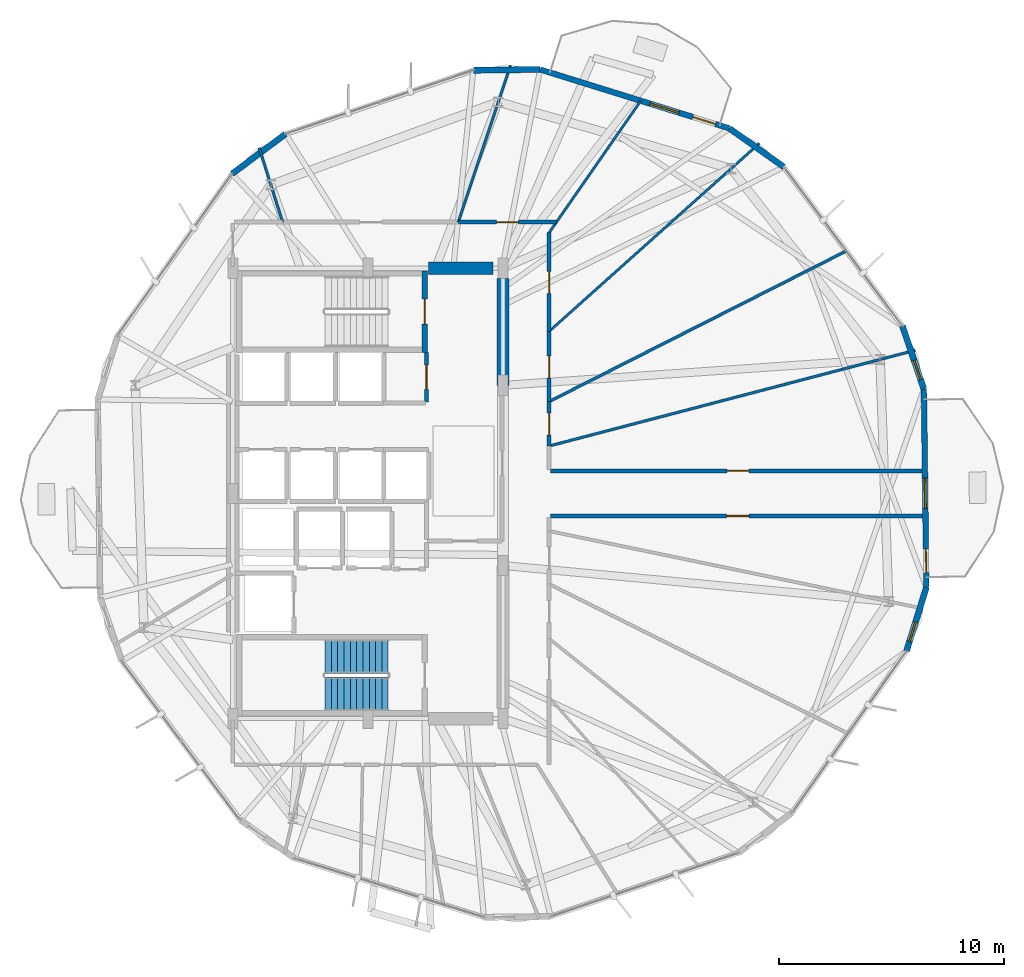
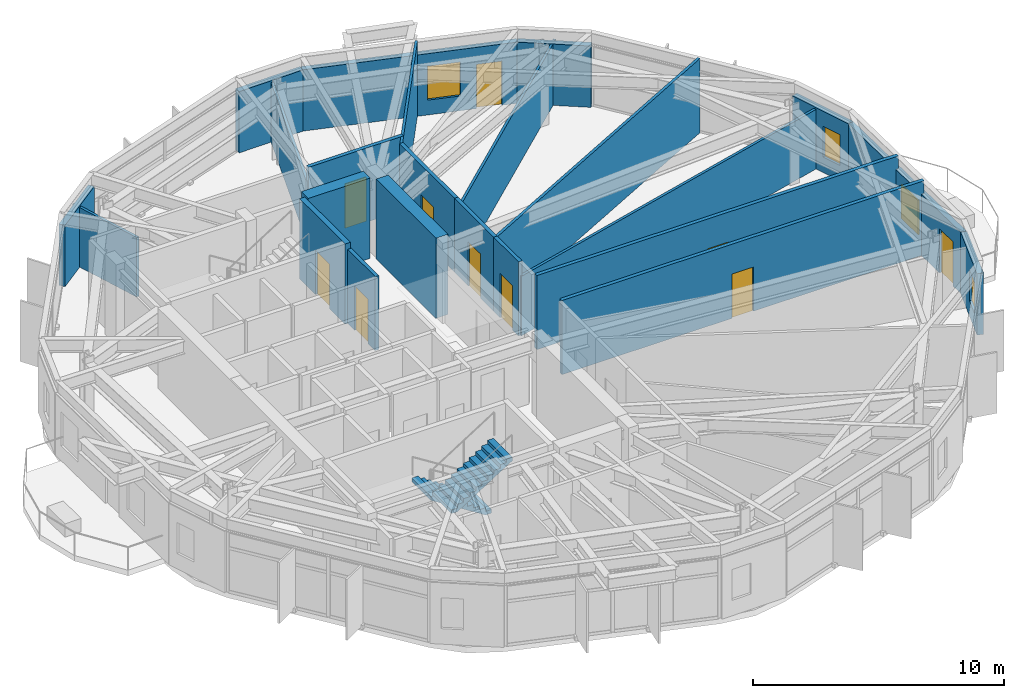
# One storey, part 21 of 25: 23 walls, 10 doors, 4 windows, 2 stair flights, 14 openings, 1 element without a shape of its own.
"""IFC4 building model written with IfcOpenShell, lengths in metres."""

from ifc_helpers import new_model, si_unit, direction, frame, frame_2d, origin, place, context, subcontext, project, spatial, polyline, rectangle, outline, extrude, material, layer, layer_set, type_object, element, fill, aggregate, save


model = new_model("IFC4")

# Units and contexts
model_context = context("Model", 3, precision=1e-05, world=origin(), true_north=direction((0.0, 1.0)))
body_context = subcontext(model_context, "Body", "Model", "MODEL_VIEW")
ifc_project = project(units=[si_unit("LENGTHUNIT", "METRE"), si_unit("AREAUNIT", "SQUARE_METRE"), si_unit("VOLUMEUNIT", "CUBIC_METRE"), si_unit("PLANEANGLEUNIT", "RADIAN"), si_unit("MASSUNIT", "GRAM", prefix="KILO")], contexts=[model_context])

# Site, building, storey
site_placement = place(None, origin())
site = spatial("IfcSite", under=ifc_project, at=site_placement, CompositionType="ELEMENT")
building_placement = place(site_placement, origin())
building = spatial("IfcBuilding", under=site, at=building_placement, Name="Soratama Intermodal Tower", CompositionType="ELEMENT")
storey_placement = place(building_placement, frame((0.0, 0.0, 106.89990234375)))
storey = spatial("IfcBuildingStorey", under=building, at=storey_placement, Name="L25", CompositionType="ELEMENT", Elevation=106.89990234375)

# Wall, openings, door, window
ifc_material_1 = material(Name="Concrete f'c 42 MPa", Category="concrete")
ifc_layer_1 = layer(ifc_material_1, 0.25)
ifc_layer_set_1 = layer_set([ifc_layer_1], Name="Concrete f'c 42 MPa")
wall_type_1 = type_object("IfcWallType", Name="EW-BAL-250", PredefinedType="SOLIDWALL", material=ifc_layer_set_1)
wall_1_placement = place(storey_placement, frame((54.65576171875, 41.215576171875, 0.0), z_axis=(0.0, 0.0, 1.0), x_axis=(-0.954863940641, 0.297043523516, 0.0)))
wall_1 = element("IfcWall", 1, at=wall_1_placement, inside=storey, type_object=wall_type_1, Name="L25 Terrace Wall F02", PredefinedType="SOLIDWALL", context=body_context, shape_type="SweptSolid", body=[
    extrude(rectangle(XDim=8.806640625, YDim=0.25, at=frame_2d((4.4033203125, 0.0))), origin(), (0.0, 0.0, 1.0), 2.97900390625),
])
opening_1_placement = place(wall_1_placement, frame((0.64990234375, 0.0, 0.0)))
opening_1 = element("IfcOpeningElement", 2, at=opening_1_placement, cuts=wall_1, Name="Opening ED-5", PredefinedType="OPENING", context=body_context, shape_type="SweptSolid", body=[
    extrude(rectangle(XDim=1.050048828125, YDim=2.14990234375, at=frame_2d((0.52490234375, 1.074951171875))), frame((0.0, 0.135009765625, 0.0), z_axis=(0.0, -1.0, 0.0), x_axis=(1.0, 0.0, 0.0)), (0.0, 0.0, 1.0), 0.27001953125),
])
opening_2_placement = place(wall_1_placement, frame((2.340087890625, 0.0, 0.719970703125)))
opening_2 = element("IfcOpeningElement", 3, at=opening_2_placement, cuts=wall_1, Name="Opening WN-4", PredefinedType="OPENING", context=body_context, shape_type="SweptSolid", body=[
    extrude(rectangle(XDim=1.35009765625, YDim=1.64990234375, at=frame_2d((0.675048828125, 0.824951171875))), frame((0.0, 0.135009765625, 0.0), z_axis=(0.0, -1.0, 0.0), x_axis=(1.0, 0.0, 0.0)), (0.0, 0.0, 1.0), 0.27001953125),
])
ifc_material_2 = material(Name="Double-glazed aluminium door", Category="aluminium")
door_type_1 = type_object("IfcDoorType", Name="DR-BAL-1050", OperationType="NOTDEFINED", PredefinedType="DOOR", material=ifc_material_2)
door_1_placement = place(opening_1_placement, origin())
door_1 = element("IfcDoor", 4, at=door_1_placement, inside=storey, type_object=door_type_1, Name="L25 Balcony Door F02", OperationType="SINGLE_SWING_RIGHT", OverallHeight=2.14990234375, OverallWidth=1.050048828125, PredefinedType="DOOR", context=body_context, shape_type="SweptSolid", body=[
    extrude(rectangle(XDim=1.050048828125, YDim=2.14990234375, at=frame_2d((0.52490234375, 1.074951171875))), frame((0.0, 0.02490234375, 0.0), z_axis=(0.0, -1.0, 0.0), x_axis=(1.0, 0.0, 0.0)), (0.0, 0.0, 1.0), 0.050048828125),
])
fill(opening_1, door_1)
ifc_material_3 = material(Name="Double-glazed aluminium window", Category="aluminium")
window_type_1 = type_object("IfcWindowType", Name="WN-FAC-1350", PartitioningType="SINGLE_PANEL", PredefinedType="WINDOW", material=ifc_material_3)
window_1_placement = place(opening_2_placement, origin())
window_1 = element("IfcWindow", 5, at=window_1_placement, inside=storey, type_object=window_type_1, Name="L25 Window B F02", OverallHeight=1.64990234375, OverallWidth=1.35009765625, PartitioningType="SINGLE_PANEL", PredefinedType="WINDOW", context=body_context, shape_type="SweptSolid", body=[
    extrude(rectangle(XDim=1.35009765625, YDim=1.64990234375, at=frame_2d((0.675048828125, 0.824951171875))), frame((0.0, 0.030029296875, 0.0), z_axis=(0.0, -1.0, 0.0), x_axis=(1.0, 0.0, 0.0)), (0.0, 0.0, 1.0), 0.06005859375),
])
fill(opening_2, window_1)

wall_2_placement = place(storey_placement, frame((63.40576171875, 20.82763671875, 0.0), z_axis=(0.0, 0.0, 1.0), x_axis=(-0.012558271015, 0.999921141805, 0.0)))
wall_2 = element("IfcWall", 6, at=wall_2_placement, inside=storey, type_object=wall_type_1, Name="L25 Terrace Wall F10", PredefinedType="SOLIDWALL", context=body_context, shape_type="SweptSolid", body=[
    extrude(rectangle(XDim=8.806640625, YDim=0.25, at=frame_2d((4.4033203125, 0.0))), origin(), (0.0, 0.0, 1.0), 2.97900390625),
])
opening_3_placement = place(wall_2_placement, frame((0.64990234375, 0.0, 0.0)))
opening_3 = element("IfcOpeningElement", 7, at=opening_3_placement, cuts=wall_2, Name="Opening ED-5", PredefinedType="OPENING", context=body_context, shape_type="SweptSolid", body=[
    extrude(rectangle(XDim=1.050048828125, YDim=2.14990234375, at=frame_2d((0.52490234375, 1.074951171875))), frame((0.0, 0.135009765625, 0.0), z_axis=(0.0, -1.0, 0.0), x_axis=(1.0, 0.0, 0.0)), (0.0, 0.0, 1.0), 0.27001953125),
])
opening_4_placement = place(wall_2_placement, frame((3.509033203125, 0.0, 0.719970703125)))
opening_4 = element("IfcOpeningElement", 8, at=opening_4_placement, cuts=wall_2, Name="Opening WN-4", PredefinedType="OPENING", context=body_context, shape_type="SweptSolid", body=[
    extrude(rectangle(XDim=1.35009765625, YDim=1.64990234375, at=frame_2d((0.675048828125, 0.824951171875))), frame((0.0, 0.135009765625, 0.0), z_axis=(0.0, -1.0, 0.0), x_axis=(1.0, 0.0, 0.0)), (0.0, 0.0, 1.0), 0.27001953125),
])
door_2_placement = place(opening_3_placement, origin())
door_2 = element("IfcDoor", 9, at=door_2_placement, inside=storey, type_object=door_type_1, Name="L25 Balcony Door F10", OperationType="SINGLE_SWING_RIGHT", OverallHeight=2.14990234375, OverallWidth=1.050048828125, PredefinedType="DOOR", context=body_context, shape_type="SweptSolid", body=[
    extrude(rectangle(XDim=1.050048828125, YDim=2.14990234375, at=frame_2d((0.52490234375, 1.074951171875))), frame((0.0, 0.02490234375, 0.0), z_axis=(0.0, -1.0, 0.0), x_axis=(1.0, 0.0, 0.0)), (0.0, 0.0, 1.0), 0.050048828125),
])
fill(opening_3, door_2)
window_2_placement = place(opening_4_placement, origin())
window_2 = element("IfcWindow", 10, at=window_2_placement, inside=storey, type_object=window_type_1, Name="L25 Window B F10", OverallHeight=1.64990234375, OverallWidth=1.35009765625, PartitioningType="SINGLE_PANEL", PredefinedType="WINDOW", context=body_context, shape_type="SweptSolid", body=[
    extrude(rectangle(XDim=1.35009765625, YDim=1.64990234375, at=frame_2d((0.675048828125, 0.824951171875))), frame((0.0, 0.030029296875, 0.0), z_axis=(0.0, -1.0, 0.0), x_axis=(1.0, 0.0, 0.0)), (0.0, 0.0, 1.0), 0.06005859375),
])
fill(opening_4, window_2)

# Walls
ifc_material_4 = material(Name="Concrete f'c 42 MPa", Category="concrete")
ifc_layer_2 = layer(ifc_material_4, 0.27001953125)
ifc_layer_set_2 = layer_set([ifc_layer_2], Name="Concrete f'c 42 MPa")
wall_type_2 = type_object("IfcWallType", Name="EW-CRN-270", PredefinedType="SOLIDWALL", material=ifc_layer_set_2)
wall_3_placement = place(storey_placement, frame((57.077392578125, 39.502197265625, 0.0), z_axis=(0.0, 0.0, 1.0), x_axis=(-0.816333298617, 0.577581116009, 0.0)))
element("IfcWall", 11, at=wall_3_placement, inside=storey, type_object=wall_type_2, Name="L25 Corner Closure Wall 01", PredefinedType="SOLIDWALL", context=body_context, shape_type="SweptSolid", body=[
    extrude(rectangle(XDim=2.966552734375, YDim=0.27001953125, at=frame_2d((1.4833984375, 0.0))), origin(), (0.0, 0.0, 1.0), 2.97900390625),
])
for number, where, z_axis, x_axis, name in (
    (12, (46.24658203125, 43.83154296875, 0.0), (0.0, 0.0, 1.0), (-0.999920709684, -0.012592630552, 0.0), "L25 Corner Closure Wall 02"),
    (13, (34.939697265625, 40.9677734375, 0.0), (0.0, 0.0, 1.0), (-0.801547915112, -0.597930547622, 0.0), "L25 Corner Closure Wall 03"),
):
    element("IfcWall", number, at=place(storey_placement, frame(where, z_axis=z_axis, x_axis=x_axis)), inside=storey, type_object=wall_type_2, Name=name, PredefinedType="SOLIDWALL", context=body_context, shape_type="SweptSolid", body=[
        extrude(rectangle(XDim=2.96630859375, YDim=0.27001953125, at=frame_2d((1.483154296875, 0.0))), origin(), (0.0, 0.0, 1.0), 2.97900390625),
    ])

# Wall, opening, window
wall_4_placement = place(storey_placement, frame((62.524658203125, 17.9951171875, 0.0), z_axis=(0.0, 0.0, 1.0), x_axis=(0.29702819911, 0.954868707694, 0.0)))
wall_4 = element("IfcWall", 14, at=wall_4_placement, inside=storey, type_object=wall_type_2, Name="L25 Corner Closure Wall 09", PredefinedType="SOLIDWALL", context=body_context, shape_type="SweptSolid", body=[
    extrude(rectangle(XDim=2.96630859375, YDim=0.27001953125, at=frame_2d((1.483154296875, 0.0))), origin(), (0.0, 0.0, 1.0), 2.97900390625),
])
opening_5_placement = place(wall_4_placement, frame((0.449951171875, 0.0, 0.75)))
opening_5 = element("IfcOpeningElement", 15, at=opening_5_placement, cuts=wall_4, Name="Opening WN-6", PredefinedType="OPENING", context=body_context, shape_type="SweptSolid", body=[
    extrude(rectangle(XDim=0.89990234375, YDim=1.5, at=frame_2d((0.449951171875, 0.75))), frame((0.0, 0.14501953125, 0.0), z_axis=(0.0, -1.0, 0.0), x_axis=(1.0, 0.0, 0.0)), (0.0, 0.0, 1.0), 0.2900390625),
])
ifc_material_5 = material(Name="Double-glazed aluminium window", Category="aluminium")
window_type_2 = type_object("IfcWindowType", Name="WN-FAC-900", PartitioningType="SINGLE_PANEL", PredefinedType="WINDOW", material=ifc_material_5)
window_3_placement = place(opening_5_placement, origin())
window_3 = element("IfcWindow", 16, at=window_3_placement, inside=storey, type_object=window_type_2, Name="L25 Corner Window 09", OverallHeight=1.5, OverallWidth=0.89990234375, PartitioningType="SINGLE_PANEL", PredefinedType="WINDOW", context=body_context, shape_type="SweptSolid", body=[
    extrude(rectangle(XDim=0.89990234375, YDim=1.5, at=frame_2d((0.449951171875, 0.75))), frame((0.0, 0.030029296875, 0.0), z_axis=(0.0, -1.0, 0.0), x_axis=(1.0, 0.0, 0.0)), (0.0, 0.0, 1.0), 0.06005859375),
])
fill(opening_5, window_3)

wall_5_placement = place(storey_placement, frame((63.295166015625, 29.633544921875, 0.0), z_axis=(0.0, 0.0, 1.0), x_axis=(-0.320964212706, 0.947091323032, 0.0)))
wall_5 = element("IfcWall", 17, at=wall_5_placement, inside=storey, type_object=wall_type_2, Name="L25 Corner Closure Wall 10", PredefinedType="SOLIDWALL", context=body_context, shape_type="SweptSolid", body=[
    extrude(rectangle(XDim=2.966552734375, YDim=0.27001953125, at=frame_2d((1.4833984375, 0.0))), origin(), (0.0, 0.0, 1.0), 2.97900390625),
])
opening_6_placement = place(wall_5_placement, frame((0.449951171875, 0.0, 0.75)))
opening_6 = element("IfcOpeningElement", 18, at=opening_6_placement, cuts=wall_5, Name="Opening WN-6", PredefinedType="OPENING", context=body_context, shape_type="SweptSolid", body=[
    extrude(rectangle(XDim=0.89990234375, YDim=1.5, at=frame_2d((0.449951171875, 0.75))), frame((0.0, 0.14501953125, 0.0), z_axis=(0.0, -1.0, 0.0), x_axis=(1.0, 0.0, 0.0)), (0.0, 0.0, 1.0), 0.2900390625),
])
window_4_placement = place(opening_6_placement, origin())
window_4 = element("IfcWindow", 19, at=window_4_placement, inside=storey, type_object=window_type_2, Name="L25 Corner Window 10", OverallHeight=1.5, OverallWidth=0.89990234375, PartitioningType="SINGLE_PANEL", PredefinedType="WINDOW", context=body_context, shape_type="SweptSolid", body=[
    extrude(rectangle(XDim=0.89990234375, YDim=1.5, at=frame_2d((0.449951171875, 0.75))), frame((0.0, 0.030029296875, 0.0), z_axis=(0.0, -1.0, 0.0), x_axis=(1.0, 0.0, 0.0)), (0.0, 0.0, 1.0), 0.06005859375),
])
fill(opening_6, window_4)

# Wall, opening, door
ifc_material_6 = material(Name="Fire-rated gypsum stud partition", Category="concrete")
ifc_layer_3 = layer(ifc_material_6, 0.169921875)
ifc_layer_set_3 = layer_set([ifc_layer_3], Name="Fire-rated gypsum stud partition")
wall_type_3 = type_object("IfcWallType", Name="IW-PART-R170", PredefinedType="PARTITIONING", material=ifc_layer_set_3)
wall_6_placement = place(storey_placement, frame((63.365966796875, 24.0, 0.0), z_axis=(0.0, 0.0, 1.0), x_axis=(-1.0, 0.0, 0.0)))
wall_6 = element("IfcWall", 20, at=wall_6_placement, inside=storey, type_object=wall_type_3, Name="L25 Partition W-L25-TP003", PredefinedType="PARTITIONING", context=body_context, shape_type="SweptSolid", body=[
    extrude(rectangle(XDim=16.64599609375, YDim=0.169921875, at=frame_2d((8.322998046875, 0.0))), origin(), (0.0, 0.0, 1.0), 3.60009765625),
])
opening_7_placement = place(wall_6_placement, frame((7.847900390625, 0.0, 0.0)))
opening_7 = element("IfcOpeningElement", 21, at=opening_7_placement, cuts=wall_6, Name="Opening ID-5", PredefinedType="OPENING", context=body_context, shape_type="SweptSolid", body=[
    extrude(rectangle(XDim=0.97998046875, YDim=2.14990234375, at=frame_2d((0.489990234375, 1.074951171875))), frame((0.0, 0.094970703125, 0.0), z_axis=(0.0, -1.0, 0.0), x_axis=(1.0, 0.0, 0.0)), (0.0, 0.0, 1.0), 0.18994140625),
])
ifc_material_7 = material(Name="Solid hardwood acoustic door", Category="wood")
door_type_2 = type_object("IfcDoorType", Name="DR-OFF-980", OperationType="NOTDEFINED", PredefinedType="DOOR", material=ifc_material_7)
door_3_placement = place(opening_7_placement, origin())
door_3 = element("IfcDoor", 22, at=door_3_placement, inside=storey, type_object=door_type_2, Name="L25 Door D-L25-TP001", OperationType="SINGLE_SWING_RIGHT", OverallHeight=2.14990234375, OverallWidth=0.97998046875, PredefinedType="DOOR", context=body_context, shape_type="SweptSolid", body=[
    extrude(rectangle(XDim=0.97998046875, YDim=2.14990234375, at=frame_2d((0.489990234375, 1.074951171875))), frame((0.0, 0.02490234375, 0.0), z_axis=(0.0, -1.0, 0.0), x_axis=(1.0, 0.0, 0.0)), (0.0, 0.0, 1.0), 0.050048828125),
])
fill(opening_7, door_3)

wall_7_placement = place(storey_placement, frame((46.719970703125, 26.0, 0.0), z_axis=(0.0, 0.0, 1.0), x_axis=(1.0, 0.0, 0.0)))
wall_7 = element("IfcWall", 23, at=wall_7_placement, inside=storey, type_object=wall_type_3, Name="L25 Partition W-L25-TP004", PredefinedType="PARTITIONING", context=body_context, shape_type="SweptSolid", body=[
    extrude(rectangle(XDim=16.62109375, YDim=0.169921875, at=frame_2d((8.310546875, 0.0))), origin(), (0.0, 0.0, 1.0), 3.60009765625),
])
opening_8_placement = place(wall_7_placement, frame((7.8359375, 0.0, 0.0)))
opening_8 = element("IfcOpeningElement", 24, at=opening_8_placement, cuts=wall_7, Name="Opening ID-5", PredefinedType="OPENING", context=body_context, shape_type="SweptSolid", body=[
    extrude(rectangle(XDim=0.97998046875, YDim=2.14990234375, at=frame_2d((0.489990234375, 1.074951171875))), frame((0.0, 0.094970703125, 0.0), z_axis=(0.0, -1.0, 0.0), x_axis=(1.0, 0.0, 0.0)), (0.0, 0.0, 1.0), 0.18994140625),
])
door_4_placement = place(opening_8_placement, origin())
door_4 = element("IfcDoor", 25, at=door_4_placement, inside=storey, type_object=door_type_2, Name="L25 Door D-L25-TP002", OperationType="SINGLE_SWING_LEFT", OverallHeight=2.14990234375, OverallWidth=0.97998046875, PredefinedType="DOOR", context=body_context, shape_type="SweptSolid", body=[
    extrude(rectangle(XDim=0.97998046875, YDim=2.14990234375, at=frame_2d((0.489990234375, 1.074951171875))), frame((0.0, 0.02490234375, 0.0), z_axis=(0.0, -1.0, 0.0), x_axis=(1.0, 0.0, 0.0)), (0.0, 0.0, 1.0), 0.050048828125),
])
fill(opening_8, door_4)

wall_8_placement = place(storey_placement, frame((46.64990234375, 36.583984375, 0.0), z_axis=(0.0, 0.0, 1.0), x_axis=(0.0, -1.0, 0.0)))
wall_8 = element("IfcWall", 26, at=wall_8_placement, inside=storey, type_object=wall_type_3, Name="L25 Partition W-L25-TP019", PredefinedType="PARTITIONING", context=body_context, shape_type="SweptSolid", body=[
    extrude(rectangle(XDim=4.385009765625, YDim=0.169921875, at=frame_2d((2.1923828125, 0.0))), origin(), (0.0, 0.0, 1.0), 3.60009765625),
])
opening_9_placement = place(wall_8_placement, frame((1.718017578125, 0.0, 0.0)))
opening_9 = element("IfcOpeningElement", 27, at=opening_9_placement, cuts=wall_8, Name="Opening ID-5", PredefinedType="OPENING", context=body_context, shape_type="SweptSolid", body=[
    extrude(rectangle(XDim=0.97998046875, YDim=2.14990234375, at=frame_2d((0.489990234375, 1.074951171875))), frame((0.0, 0.094970703125, 0.0), z_axis=(0.0, -1.0, 0.0), x_axis=(1.0, 0.0, 0.0)), (0.0, 0.0, 1.0), 0.18994140625),
])
door_5_placement = place(opening_9_placement, origin())
door_5 = element("IfcDoor", 28, at=door_5_placement, inside=storey, type_object=door_type_2, Name="L25 Door D-L25-TP005", OperationType="SINGLE_SWING_RIGHT", OverallHeight=2.14990234375, OverallWidth=0.97998046875, PredefinedType="DOOR", context=body_context, shape_type="SweptSolid", body=[
    extrude(rectangle(XDim=0.97998046875, YDim=2.14990234375, at=frame_2d((0.489990234375, 1.074951171875))), frame((0.0, 0.02490234375, 0.0), z_axis=(0.0, -1.0, 0.0), x_axis=(1.0, 0.0, 0.0)), (0.0, 0.0, 1.0), 0.050048828125),
])
fill(opening_9, door_5)

wall_9_placement = place(storey_placement, frame((42.614013671875, 37.050048828125, 0.0), z_axis=(0.0, 0.0, 1.0), x_axis=(1.0, 0.0, 0.0)))
wall_9 = element("IfcWall", 29, at=wall_9_placement, inside=storey, type_object=wall_type_3, Name="L25 Partition W-L25-TP020", PredefinedType="PARTITIONING", context=body_context, shape_type="SweptSolid", body=[
    extrude(rectangle(XDim=4.360107421875, YDim=0.169921875, at=frame_2d((2.18017578125, 0.0))), origin(), (0.0, 0.0, 1.0), 3.60009765625),
])
opening_10_placement = place(wall_9_placement, frame((1.705078125, 0.0, 0.0)))
opening_10 = element("IfcOpeningElement", 30, at=opening_10_placement, cuts=wall_9, Name="Opening ID-5", PredefinedType="OPENING", context=body_context, shape_type="SweptSolid", body=[
    extrude(rectangle(XDim=0.97998046875, YDim=2.14990234375, at=frame_2d((0.489990234375, 1.074951171875))), frame((0.0, 0.094970703125, 0.0), z_axis=(0.0, -1.0, 0.0), x_axis=(1.0, 0.0, 0.0)), (0.0, 0.0, 1.0), 0.18994140625),
])
door_6_placement = place(opening_10_placement, origin())
door_6 = element("IfcDoor", 31, at=door_6_placement, inside=storey, type_object=door_type_2, Name="L25 Door D-L25-TP006", OperationType="SINGLE_SWING_LEFT", OverallHeight=2.14990234375, OverallWidth=0.97998046875, PredefinedType="DOOR", context=body_context, shape_type="SweptSolid", body=[
    extrude(rectangle(XDim=0.97998046875, YDim=2.14990234375, at=frame_2d((0.489990234375, 1.074951171875))), frame((0.0, 0.02490234375, 0.0), z_axis=(0.0, -1.0, 0.0), x_axis=(1.0, 0.0, 0.0)), (0.0, 0.0, 1.0), 0.050048828125),
])
fill(opening_10, door_6)

wall_10_placement = place(storey_placement, frame((46.64990234375, 32.198974609375, 0.0), z_axis=(0.0, 0.0, 1.0), x_axis=(0.0, -1.0, 0.0)))
wall_10 = element("IfcWall", 32, at=wall_10_placement, inside=storey, type_object=wall_type_3, Name="L25 Partition W-L25-TP025", PredefinedType="PARTITIONING", context=body_context, shape_type="SweptSolid", body=[
    extrude(rectangle(XDim=3.119873046875, YDim=0.169921875, at=frame_2d((1.56005859375, 0.0))), origin(), (0.0, 0.0, 1.0), 3.60009765625),
])
opening_11_placement = place(wall_10_placement, frame((1.0849609375, 0.0, 0.0)))
opening_11 = element("IfcOpeningElement", 33, at=opening_11_placement, cuts=wall_10, Name="Opening ID-5", PredefinedType="OPENING", context=body_context, shape_type="SweptSolid", body=[
    extrude(rectangle(XDim=0.97998046875, YDim=2.14990234375, at=frame_2d((0.489990234375, 1.074951171875))), frame((0.0, 0.094970703125, 0.0), z_axis=(0.0, -1.0, 0.0), x_axis=(1.0, 0.0, 0.0)), (0.0, 0.0, 1.0), 0.18994140625),
])
door_7_placement = place(opening_11_placement, origin())
door_7 = element("IfcDoor", 34, at=door_7_placement, inside=storey, type_object=door_type_2, Name="L25 Door D-L25-TP009", OperationType="SINGLE_SWING_RIGHT", OverallHeight=2.14990234375, OverallWidth=0.97998046875, PredefinedType="DOOR", context=body_context, shape_type="SweptSolid", body=[
    extrude(rectangle(XDim=0.97998046875, YDim=2.14990234375, at=frame_2d((0.489990234375, 1.074951171875))), frame((0.0, 0.02490234375, 0.0), z_axis=(0.0, -1.0, 0.0), x_axis=(1.0, 0.0, 0.0)), (0.0, 0.0, 1.0), 0.050048828125),
])
fill(opening_11, door_7)

wall_11_placement = place(storey_placement, frame((41.199951171875, 29.070068359375, 0.0), z_axis=(0.0, 0.0, 1.0), x_axis=(0.0, 1.0, 0.0)))
wall_11 = element("IfcWall", 35, at=wall_11_placement, inside=storey, type_object=wall_type_3, Name="L25 Partition W-L25-TP033", PredefinedType="PARTITIONING", context=body_context, shape_type="SweptSolid", body=[
    extrude(rectangle(XDim=2.18994140625, YDim=0.169921875, at=frame_2d((1.094970703125, 0.0))), origin(), (0.0, 0.0, 1.0), 3.60009765625),
])
opening_12_placement = place(wall_11_placement, frame((0.554931640625, 0.0, 0.0)))
opening_12 = element("IfcOpeningElement", 36, at=opening_12_placement, cuts=wall_11, Name="Opening ID-1", PredefinedType="OPENING", context=body_context, shape_type="SweptSolid", body=[
    extrude(rectangle(XDim=1.080078125, YDim=2.14990234375, at=frame_2d((0.5400390625, 1.074951171875))), frame((0.0, 0.094970703125, 0.0), z_axis=(0.0, -1.0, 0.0), x_axis=(1.0, 0.0, 0.0)), (0.0, 0.0, 1.0), 0.18994140625),
])
ifc_material_8 = material(Name="Solid hardwood acoustic door", Category="wood")
door_type_3 = type_object("IfcDoorType", Name="DR-LOB-FD60", OperationType="NOTDEFINED", PredefinedType="DOOR", material=ifc_material_8)
door_8_placement = place(opening_12_placement, origin())
door_8 = element("IfcDoor", 37, at=door_8_placement, inside=storey, type_object=door_type_3, Name="L25 Door D-L25-TP017", OperationType="SINGLE_SWING_RIGHT", OverallHeight=2.14990234375, OverallWidth=1.080078125, PredefinedType="DOOR", context=body_context, shape_type="SweptSolid", body=[
    extrude(rectangle(XDim=1.080078125, YDim=2.14990234375, at=frame_2d((0.5400390625, 1.074951171875))), frame((0.0, 0.02490234375, 0.0), z_axis=(0.0, -1.0, 0.0), x_axis=(1.0, 0.0, 0.0)), (0.0, 0.0, 1.0), 0.050048828125),
])
fill(opening_12, door_8)

wall_12_placement = place(storey_placement, frame((46.64990234375, 29.0791015625, 0.0), z_axis=(0.0, 0.0, 1.0), x_axis=(0.0, -1.0, 0.0)))
wall_12 = element("IfcWall", 38, at=wall_12_placement, inside=storey, type_object=wall_type_3, Name="L25 Partition W-L25-TP035", PredefinedType="PARTITIONING", context=body_context, shape_type="SweptSolid", body=[
    extrude(rectangle(XDim=1.97314453125, YDim=0.169921875, at=frame_2d((0.986572265625, 0.0))), origin(), (0.0, 0.0, 1.0), 3.60009765625),
])
opening_13_placement = place(wall_12_placement, frame((0.510986328125, 0.0, 0.0)))
opening_13 = element("IfcOpeningElement", 39, at=opening_13_placement, cuts=wall_12, Name="Opening ID-5", PredefinedType="OPENING", context=body_context, shape_type="SweptSolid", body=[
    extrude(rectangle(XDim=0.97998046875, YDim=2.14990234375, at=frame_2d((0.489990234375, 1.074951171875))), frame((0.0, 0.094970703125, 0.0), z_axis=(0.0, -1.0, 0.0), x_axis=(1.0, 0.0, 0.0)), (0.0, 0.0, 1.0), 0.18994140625),
])
door_9_placement = place(opening_13_placement, origin())
door_9 = element("IfcDoor", 40, at=door_9_placement, inside=storey, type_object=door_type_2, Name="L25 Door D-L25-TP018", OperationType="SINGLE_SWING_LEFT", OverallHeight=2.14990234375, OverallWidth=0.97998046875, PredefinedType="DOOR", context=body_context, shape_type="SweptSolid", body=[
    extrude(rectangle(XDim=0.97998046875, YDim=2.14990234375, at=frame_2d((0.489990234375, 1.074951171875))), frame((0.0, 0.02490234375, 0.0), z_axis=(0.0, -1.0, 0.0), x_axis=(1.0, 0.0, 0.0)), (0.0, 0.0, 1.0), 0.050048828125),
])
fill(opening_13, door_9)

# Walls
ifc_material_9 = material(Name="Fire-rated gypsum stud partition", Category="concrete")
ifc_layer_4 = layer(ifc_material_9, 0.110107421875)
ifc_layer_set_4 = layer_set([ifc_layer_4], Name="Fire-rated gypsum stud partition")
wall_type_4 = type_object("IfcWallType", Name="IW-PART-S110", PredefinedType="PARTITIONING", material=ifc_layer_set_4)
wall_13_placement = place(storey_placement, frame((46.64990234375, 32.198974609375, 0.0), z_axis=(0.0, 0.0, 1.0), x_axis=(0.74538342222, 0.666635998038, 0.0)))
element("IfcWall", 41, at=wall_13_placement, inside=storey, type_object=wall_type_4, Name="L25 Partition W-L25-TP008", PredefinedType="PARTITIONING", context=body_context, shape_type="SweptSolid", body=[
    extrude(rectangle(XDim=12.534423828125, YDim=0.110107421875, at=frame_2d((6.26708984375, 0.0))), origin(), (0.0, 0.0, 1.0), 2.97802734375),
])
wall_14_placement = place(storey_placement, frame((46.64990234375, 36.583984375, 0.0), z_axis=(0.0, 0.0, 1.0), x_axis=(0.570720394005, 0.821144464675, 0.0)))
element("IfcWall", 42, at=wall_14_placement, inside=storey, type_object=wall_type_4, Name="L25 Partition W-L25-TP013", PredefinedType="PARTITIONING", context=body_context, shape_type="SweptSolid", body=[
    extrude(rectangle(XDim=7.13134765625, YDim=0.110107421875, at=frame_2d((3.565673828125, 0.0))), origin(), (0.0, 0.0, 1.0), 3.60009765625),
])
ifc_material_10 = material(Name="Fire-rated gypsum stud partition", Category="concrete")
ifc_layer_5 = layer(ifc_material_10, 0.1201171875)
ifc_layer_set_5 = layer_set([ifc_layer_5], Name="Fire-rated gypsum stud partition")
wall_type_5 = type_object("IfcWallType", Name="IW-PART-S120", PredefinedType="PARTITIONING", material=ifc_layer_set_5)
wall_15_placement = place(storey_placement, frame((46.64990234375, 27.10595703125, 0.0), z_axis=(0.0, 0.0, 1.0), x_axis=(0.967462851525, 0.253013104242, 0.0)))
element("IfcWall", 43, at=wall_15_placement, inside=storey, type_object=wall_type_5, Name="L25 Partition W-L25-TP002", PredefinedType="PARTITIONING", context=body_context, shape_type="SweptSolid", body=[
    extrude(rectangle(XDim=16.80908203125, YDim=0.1201171875, at=frame_2d((8.404541015625, 0.0))), origin(), (0.0, 0.0, 1.0), 2.89501953125),
])
wall_16_placement = place(storey_placement, frame((42.614013671875, 37.050048828125, 0.0), z_axis=(0.0, 0.0, 1.0), x_axis=(0.316108163988, 0.948723157017, 0.0)))
element("IfcWall", 44, at=wall_16_placement, inside=storey, type_object=wall_type_5, Name="L25 Partition W-L25-TP012", PredefinedType="PARTITIONING", context=body_context, shape_type="SweptSolid", body=[
    extrude(rectangle(XDim=7.3486328125, YDim=0.1201171875, at=frame_2d((3.67431640625, 0.0))), origin(), (0.0, 0.0, 1.0), 2.89501953125),
])
wall_17_placement = place(storey_placement, frame((34.81005859375, 37.050048828125, 0.0), z_axis=(0.0, 0.0, 1.0), x_axis=(-0.300004387009, 0.953937821755, 0.0)))
element("IfcWall", 45, at=wall_17_placement, inside=storey, type_object=wall_type_5, Name="L25 Partition W-L25-TP022", PredefinedType="PARTITIONING", context=body_context, shape_type="SweptSolid", body=[
    extrude(rectangle(XDim=3.46337890625, YDim=0.1201171875, at=frame_2d((1.731689453125, 0.0))), origin(), (0.0, 0.0, 1.0), 2.89501953125),
])
ifc_material_11 = material(Name="Fire-rated gypsum stud partition", Category="concrete")
ifc_layer_6 = layer(ifc_material_11, 0.1298828125)
ifc_layer_set_6 = layer_set([ifc_layer_6], Name="Fire-rated gypsum stud partition")
wall_type_6 = type_object("IfcWallType", Name="IW-PART-S130", PredefinedType="PARTITIONING", material=ifc_layer_set_6)
wall_18_placement = place(storey_placement, frame((46.64990234375, 29.0791015625, 0.0), z_axis=(0.0, 0.0, 1.0), x_axis=(0.891973908544, 0.452086879345, 0.0)))
element("IfcWall", 46, at=wall_18_placement, inside=storey, type_object=wall_type_6, Name="L25 Partition W-L25-TP006", PredefinedType="PARTITIONING", context=body_context, shape_type="SweptSolid", body=[
    extrude(rectangle(XDim=14.80859375, YDim=0.1298828125, at=frame_2d((7.404296875, 0.0))), origin(), (0.0, 0.0, 1.0), 3.60009765625),
])
ifc_material_12 = material(Name="Concrete f'c 56 MPa", Category="concrete")
ifc_layer_7 = layer(ifc_material_12, 0.550048828125)
ifc_layer_set_7 = layer_set([ifc_layer_7], Name="Concrete f'c 56 MPa")
wall_type_7 = type_object("IfcWallType", Name="SW-CORE-550", PredefinedType="SHEAR", material=ifc_layer_set_7)
wall_19_placement = place(storey_placement, frame((41.300048828125, 35.0, 0.0), z_axis=(0.0, 0.0, 1.0), x_axis=(1.0, 0.0, 0.0)))
element("IfcWall", 47, at=wall_19_placement, inside=storey, type_object=wall_type_7, Name="L25 Core Shear Wall CW-NE", PredefinedType="SHEAR", context=body_context, shape_type="SweptSolid", body=[
    extrude(rectangle(XDim=2.849853515625, YDim=0.550048828125, at=frame_2d((1.4248046875, 0.0))), origin(), (0.0, 0.0, 1.0), 3.900146484375),
])
wall_20_placement = place(storey_placement, frame((44.60009765625, 29.800048828125, 0.0), z_axis=(0.0, 0.0, 1.0), x_axis=(0.0, 1.0, 0.0)))
element("IfcWall", 48, at=wall_20_placement, inside=storey, type_object=wall_type_7, Name="L25 Core Shear Wall CW-EN", PredefinedType="SHEAR", context=body_context, shape_type="SweptSolid", body=[
    extrude(rectangle(XDim=4.75, YDim=0.550048828125, at=frame_2d((2.375, 0.0))), origin(), (0.0, 0.0, 1.0), 3.900146484375),
])

# Wall, opening, door
ifc_material_13 = material(Name="Concrete f'c 56 MPa", Category="concrete")
ifc_layer_8 = layer(ifc_material_13, 0.239990234375)
ifc_layer_set_8 = layer_set([ifc_layer_8], Name="Concrete f'c 56 MPa")
wall_type_8 = type_object("IfcWallType", Name="SW-STAIR-240", PredefinedType="SHEAR", material=ifc_layer_set_8)
wall_21_placement = place(storey_placement, frame((41.1201171875, 31.260009765625, 0.0), z_axis=(0.0, 0.0, 1.0), x_axis=(0.0, 1.0, 0.0)))
wall_21 = element("IfcWall", 49, at=wall_21_placement, inside=storey, type_object=wall_type_8, Name="L25 ST-2 Shaft Shear Wall E", PredefinedType="SHEAR", context=body_context, shape_type="SweptSolid", body=[
    extrude(rectangle(XDim=3.6298828125, YDim=0.239990234375, at=frame_2d((1.81494140625, 0.0))), origin(), (0.0, 0.0, 1.0), 3.900146484375),
])
opening_14_placement = place(wall_21_placement, frame((1.2548828125, 0.0, 0.0)))
opening_14 = element("IfcOpeningElement", 50, at=opening_14_placement, cuts=wall_21, Name="Opening SD-1", PredefinedType="OPENING", context=body_context, shape_type="SweptSolid", body=[
    extrude(rectangle(XDim=1.1201171875, YDim=2.14990234375, at=frame_2d((0.56005859375, 1.074951171875))), frame((0.0, 0.1298828125, 0.0), z_axis=(0.0, -1.0, 0.0), x_axis=(1.0, 0.0, 0.0)), (0.0, 0.0, 1.0), 0.260009765625),
])
ifc_material_14 = material(Name="Steel fire door", Category="steel")
door_type_4 = type_object("IfcDoorType", Name="DR-STAIR-FD90", OperationType="NOTDEFINED", PredefinedType="DOOR", material=ifc_material_14)
door_10_placement = place(opening_14_placement, origin())
door_10 = element("IfcDoor", 51, at=door_10_placement, inside=storey, type_object=door_type_4, Name="L25 ST-2 Exit Stair Door", OperationType="SINGLE_SWING_RIGHT", OverallHeight=2.14990234375, OverallWidth=1.1201171875, PredefinedType="DOOR", context=body_context, shape_type="SweptSolid", body=[
    extrude(rectangle(XDim=1.1201171875, YDim=2.14990234375, at=frame_2d((0.56005859375, 1.074951171875))), frame((0.0, 0.02490234375, 0.0), z_axis=(0.0, -1.0, 0.0), x_axis=(1.0, 0.0, 0.0)), (0.0, 0.0, 1.0), 0.050048828125),
])
fill(opening_14, door_10)

# Stair, stair flights
ifc_material_15 = material(Name="Concrete f'c 42 MPa", Category="concrete")
stair_type = type_object("IfcStairType", Name="ST-CORE-DOGLEG", PredefinedType="HALF_TURN_STAIR", material=ifc_material_15)
stair_placement = place(storey_placement, origin())
stair = element("IfcStair", 52, at=stair_placement, inside=storey, type_object=stair_type, Name="L25 ST-1", PredefinedType="HALF_TURN_STAIR")
ifc_material_16 = material(Name="Precast concrete f'c 40 MPa", Category="concrete")
ifc_layer_9 = layer(ifc_material_16, 0.199951171875)
ifc_layer_set_9 = layer_set([ifc_layer_9], Name="Precast concrete f'c 40 MPa")
stair_flight_type = type_object("IfcStairFlightType", Name="SF-FLIGHT-RC", PredefinedType="STRAIGHT", material=ifc_layer_set_9)
stair_flight_1_placement = place(storey_placement, frame((39.5, 17.75, 0.0), z_axis=(0.0, 0.0, 1.0), x_axis=(-1.0, 0.0, 0.0)))
stair_flight_1 = element("IfcStairFlight", 53, at=stair_flight_1_placement, type_object=stair_flight_type, Name="ST-1 flight 1", NumberOfRisers=11, NumberOfTreads=10, PredefinedType="STRAIGHT", RiserHeight=0.177272727, TreadLength=0.28, context=body_context, shape_type="SweptSolid", body=[
    extrude(outline(polyline([(0.0, 0.0), (0.0, 0.17724609375), (0.280029296875, 0.17724609375), (0.280029296875, 0.3544921875), (0.56005859375, 0.3544921875), (0.56005859375, 0.53173828125), (0.840087890625, 0.53173828125), (0.840087890625, 0.708984375), (1.1201171875, 0.708984375), (1.1201171875, 0.886474609375), (1.39990234375, 0.886474609375), (1.39990234375, 1.063720703125), (1.679931640625, 1.063720703125), (1.679931640625, 1.240966796875), (1.9599609375, 1.240966796875), (1.9599609375, 1.418212890625), (2.239990234375, 1.418212890625), (2.239990234375, 1.595458984375), (2.52001953125, 1.595458984375), (2.52001953125, 1.772705078125), (2.800048828125, 1.772705078125), (2.800048828125, 1.949951171875), (2.800048828125, 1.59521484375), (0.2802734375, 0.0), (0.0, 0.0)])), frame((0.0, 0.75, 0.0), z_axis=(0.0, -1.0, 0.0), x_axis=(1.0, 0.0, 0.0)), (0.0, 0.0, 1.0), 1.5),
])
stair_flight_2_placement = place(storey_placement, frame((36.699951171875, 16.10009765625, 1.9501953125), z_axis=(0.0, 0.0, 1.0), x_axis=(1.0, 0.0, 0.0)))
stair_flight_2 = element("IfcStairFlight", 54, at=stair_flight_2_placement, type_object=stair_flight_type, Name="ST-1 flight 2", NumberOfRisers=11, NumberOfTreads=10, PredefinedType="STRAIGHT", RiserHeight=0.177272727, TreadLength=0.28, context=body_context, shape_type="SweptSolid", body=[
    extrude(outline(polyline([(0.0, 0.0), (0.0, 0.17724609375), (0.280029296875, 0.17724609375), (0.280029296875, 0.3544921875), (0.56005859375, 0.3544921875), (0.56005859375, 0.53173828125), (0.840087890625, 0.53173828125), (0.840087890625, 0.708984375), (1.1201171875, 0.708984375), (1.1201171875, 0.886474609375), (1.39990234375, 0.886474609375), (1.39990234375, 1.063720703125), (1.679931640625, 1.063720703125), (1.679931640625, 1.240966796875), (1.9599609375, 1.240966796875), (1.9599609375, 1.418212890625), (2.239990234375, 1.418212890625), (2.239990234375, 1.595458984375), (2.52001953125, 1.595458984375), (2.52001953125, 1.772705078125), (2.800048828125, 1.772705078125), (2.800048828125, 1.949951171875), (2.800048828125, 1.59521484375), (0.2802734375, 0.0), (0.0, 0.0)])), frame((0.0, 0.75, 0.0), z_axis=(0.0, -1.0, 0.0), x_axis=(1.0, 0.0, 0.0)), (0.0, 0.0, 1.0), 1.5),
])
aggregate(stair, [stair_flight_1, stair_flight_2])

save(model, "model.ifc")
